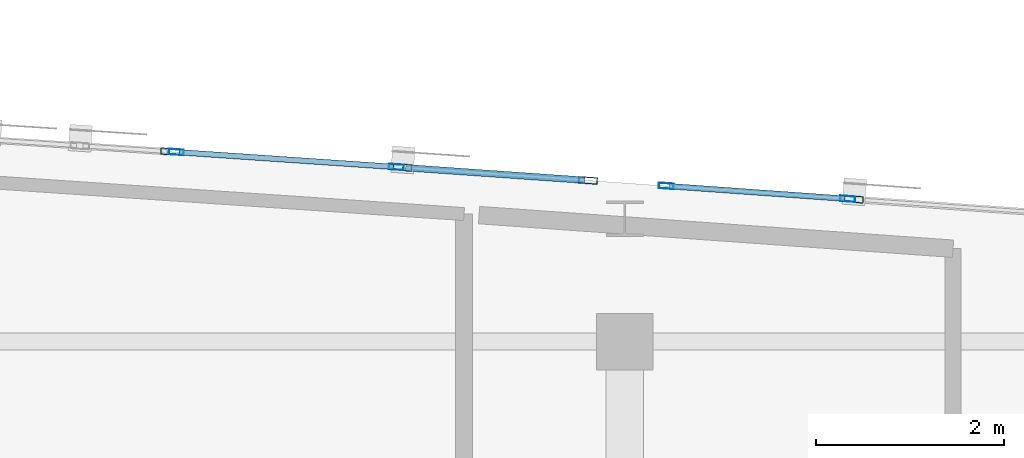
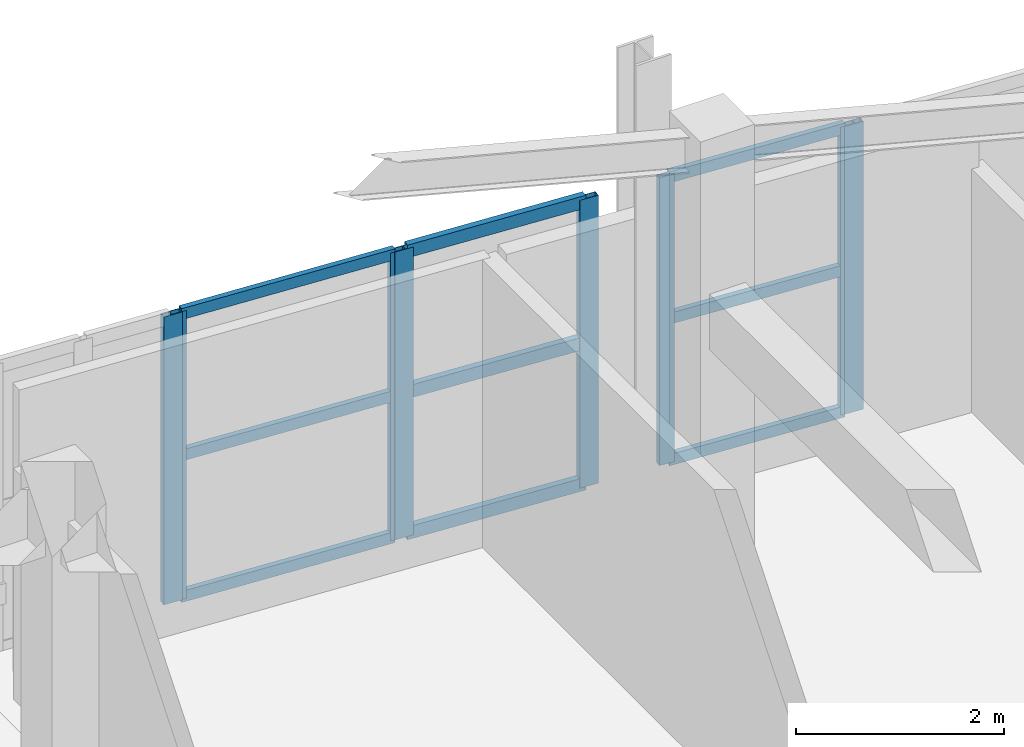
# One storey, part 23 of 41: 17 members, 5 elements without a shape of their own.
"""IFC4 building model written with IfcOpenShell, lengths in metres."""

from ifc_helpers import new_model, si_unit, direction, frame, origin, origin_2d, place, context, subcontext, project, spatial, hollow_rectangle, extrude, material, layer, layer_set, material_profile, profile_set, type_object, element, aggregate, save


model = new_model("IFC4")

# Units and contexts
model_context = context("Model", 3, precision=1e-05, world=origin(), true_north=direction((0.0, 1.0)))
body_context = subcontext(model_context, "Body", "Model", "MODEL_VIEW")
ifc_project = project(units=[si_unit("LENGTHUNIT", "METRE"), si_unit("AREAUNIT", "SQUARE_METRE"), si_unit("VOLUMEUNIT", "CUBIC_METRE"), si_unit("PLANEANGLEUNIT", "RADIAN"), si_unit("MASSUNIT", "GRAM", prefix="KILO")], contexts=[model_context])

# Site, building, storey
site_placement = place(None, origin())
site = spatial("IfcSite", under=ifc_project, at=site_placement, CompositionType="ELEMENT")
building_placement = place(site_placement, origin())
building = spatial("IfcBuilding", under=site, at=building_placement, Name="Carrowvane Square Congress Hotel", CompositionType="ELEMENT")
storey_placement = place(building_placement, frame((0.0, 0.0, 37.199951171875)))
storey = spatial("IfcBuildingStorey", under=building, at=storey_placement, Name="L09", CompositionType="ELEMENT", Elevation=37.199951171875)

# Curtain wall, members
ifc_material_1 = material(Name="Anodised aluminium", Category="aluminium")
ifc_layer_1 = layer(ifc_material_1, 0.162109375)
ifc_layer_set_1 = layer_set([ifc_layer_1], Name="Anodised aluminium")
curtain_wall_type_1 = type_object("IfcCurtainWallType", Name="CW-SYS-1", PredefinedType="NOTDEFINED", material=ifc_layer_set_1)
curtain_wall_1_placement = place(storey_placement, origin())
curtain_wall_1 = element("IfcCurtainWall", 1, at=curtain_wall_1_placement, inside=storey, type_object=curtain_wall_type_1, Name="L09 unitised curtain wall 544", PredefinedType="NOTDEFINED")
ifc_material_2 = material(Name="Anodised aluminium", Category="aluminium")
ifc_material_profile_1 = material_profile(ifc_material_2, hollow_rectangle(XDim=0.06005859375, YDim=0.159912109375, WallThickness=0.00390625, at=origin_2d()), Name="CW-ML 60x160x4")
ifc_profile_set_1 = profile_set([ifc_material_profile_1], Name="Anodised aluminium")
member_type_1 = type_object("IfcMemberType", Name="CW-MUL-1", PredefinedType="MULLION", material=ifc_profile_set_1)
member_1_placement = place(storey_placement, frame((129.22998046875, 115.4150390625, 0.0), z_axis=(0.0, 0.0, 1.0), x_axis=(0.067869562107, 0.99769420292, 0.0)))
member_1 = element("IfcMember", 2, at=member_1_placement, type_object=member_type_1, Name="CW-1 mullion 1", PredefinedType="MULLION", context=body_context, shape_type="SweptSolid", body=[
    extrude(hollow_rectangle(XDim=0.06005859375, YDim=0.159912109375, WallThickness=0.00390625, at=origin_2d()), origin(), (0.0, 0.0, 1.0), 3.380126953125),
])
member_2_placement = place(storey_placement, frame((131.570068359375, 115.255859375, 0.0), z_axis=(0.0, 0.0, 1.0), x_axis=(0.067869562107, 0.99769420292, 0.0)))
member_2 = element("IfcMember", 3, at=member_2_placement, type_object=member_type_1, Name="CW-1 mullion 2", PredefinedType="MULLION", context=body_context, shape_type="SweptSolid", body=[
    extrude(hollow_rectangle(XDim=0.06005859375, YDim=0.159912109375, WallThickness=0.00390625, at=origin_2d()), origin(), (0.0, 0.0, 1.0), 3.380126953125),
])

ifc_material_3 = material(Name="Anodised aluminium", Category="aluminium")
ifc_layer_2 = layer(ifc_material_3, 0.18603515625)
ifc_layer_set_2 = layer_set([ifc_layer_2], Name="Anodised aluminium")
curtain_wall_type_2 = type_object("IfcCurtainWallType", Name="CW-SYS-3", PredefinedType="NOTDEFINED", material=ifc_layer_set_2)
curtain_wall_2_placement = place(storey_placement, origin())
curtain_wall_2 = element("IfcCurtainWall", 4, at=curtain_wall_2_placement, inside=storey, type_object=curtain_wall_type_2, Name="L09 unitised curtain wall 546", PredefinedType="NOTDEFINED")
member_3_placement = place(storey_placement, frame((134.4404296875, 115.0546875, 0.0), z_axis=(0.0, 0.0, 1.0), x_axis=(0.070959862453, 0.997479171673, 0.0)))
member_3 = element("IfcMember", 5, at=member_3_placement, type_object=member_type_1, Name="CW-3 mullion 1", PredefinedType="MULLION", context=body_context, shape_type="SweptSolid", body=[
    extrude(hollow_rectangle(XDim=0.06005859375, YDim=0.159912109375, WallThickness=0.00390625, at=origin_2d()), origin(), (0.0, 0.0, 1.0), 3.380126953125),
])
member_4_placement = place(storey_placement, frame((136.3701171875, 114.91748046875, 0.0), z_axis=(0.0, 0.0, 1.0), x_axis=(0.070959862453, 0.997479171673, 0.0)))
member_4 = element("IfcMember", 6, at=member_4_placement, type_object=member_type_1, Name="CW-3 mullion 2", PredefinedType="MULLION", context=body_context, shape_type="SweptSolid", body=[
    extrude(hollow_rectangle(XDim=0.06005859375, YDim=0.159912109375, WallThickness=0.00390625, at=origin_2d()), origin(), (0.0, 0.0, 1.0), 3.380126953125),
])

# Curtain wall, member
ifc_material_4 = material(Name="Anodised aluminium", Category="aluminium")
ifc_layer_3 = layer(ifc_material_4, 0.24609375)
ifc_layer_set_3 = layer_set([ifc_layer_3], Name="Anodised aluminium")
curtain_wall_type_3 = type_object("IfcCurtainWallType", Name="CW-SYS-8", PredefinedType="NOTDEFINED", material=ifc_layer_set_3)
curtain_wall_3_placement = place(storey_placement, origin())
curtain_wall_3 = element("IfcCurtainWall", 7, at=curtain_wall_3_placement, inside=storey, type_object=curtain_wall_type_3, Name="L09 unitised curtain wall 543", PredefinedType="NOTDEFINED")
ifc_material_5 = material(Name="Anodised aluminium", Category="aluminium")
ifc_material_profile_2 = material_profile(ifc_material_5, hollow_rectangle(XDim=0.070068359375, YDim=0.199951171875, WallThickness=0.0048828125, at=origin_2d()), Name="CW-ML 70x200x5")
ifc_profile_set_2 = profile_set([ifc_material_profile_2], Name="Anodised aluminium")
member_type_2 = type_object("IfcMemberType", Name="CW-MUL-2", PredefinedType="MULLION", material=ifc_profile_set_2)
member_5_placement = place(storey_placement, frame((129.1650390625, 115.419189453125, 0.0), z_axis=(0.0, 0.0, 1.0), x_axis=(0.065413941589, 0.9978582145, 0.0)))
member_5 = element("IfcMember", 8, at=member_5_placement, type_object=member_type_2, Name="CW-8 mullion 3", PredefinedType="MULLION", context=body_context, shape_type="SweptSolid", body=[
    extrude(hollow_rectangle(XDim=0.070068359375, YDim=0.199951171875, WallThickness=0.0048828125, at=origin_2d()), origin(), (0.0, 0.0, 1.0), 3.380126953125),
])
aggregate(curtain_wall_3, [member_5])

# Curtain wall, members
ifc_material_6 = material(Name="Anodised aluminium", Category="aluminium")
ifc_layer_4 = layer(ifc_material_6, 0.174072265625)
ifc_layer_set_4 = layer_set([ifc_layer_4], Name="Anodised aluminium")
curtain_wall_type_4 = type_object("IfcCurtainWallType", Name="CW-SYS-2", PredefinedType="NOTDEFINED", material=ifc_layer_set_4)
curtain_wall_4_placement = place(storey_placement, origin())
curtain_wall_4 = element("IfcCurtainWall", 9, at=curtain_wall_4_placement, inside=storey, type_object=curtain_wall_type_4, Name="L09 unitised curtain wall 545", PredefinedType="NOTDEFINED")
member_6_placement = place(storey_placement, frame((131.635009765625, 115.251220703125, 0.0), z_axis=(0.0, 0.0, 1.0), x_axis=(0.069726879118, 0.997566119277, 0.0)))
member_6 = element("IfcMember", 10, at=member_6_placement, type_object=member_type_2, Name="CW-2 mullion 1", PredefinedType="MULLION", context=body_context, shape_type="SweptSolid", body=[
    extrude(hollow_rectangle(XDim=0.070068359375, YDim=0.199951171875, WallThickness=0.0048828125, at=origin_2d()), origin(), (0.0, 0.0, 1.0), 3.380126953125),
])
member_7_placement = place(storey_placement, frame((133.60791015625, 115.11328125, 0.0), z_axis=(0.0, 0.0, 1.0), x_axis=(0.069726879118, 0.997566119277, 0.0)))
member_7 = element("IfcMember", 11, at=member_7_placement, type_object=member_type_2, Name="CW-2 mullion 2", PredefinedType="MULLION", context=body_context, shape_type="SweptSolid", body=[
    extrude(hollow_rectangle(XDim=0.070068359375, YDim=0.199951171875, WallThickness=0.0048828125, at=origin_2d()), origin(), (0.0, 0.0, 1.0), 3.380126953125),
])

# Curtain wall, member
ifc_material_7 = material(Name="Anodised aluminium", Category="aluminium")
ifc_layer_5 = layer(ifc_material_7, 0.197998046875)
ifc_layer_set_5 = layer_set([ifc_layer_5], Name="Anodised aluminium")
curtain_wall_type_5 = type_object("IfcCurtainWallType", Name="CW-SYS-4", PredefinedType="NOTDEFINED", material=ifc_layer_set_5)
curtain_wall_5_placement = place(storey_placement, origin())
curtain_wall_5 = element("IfcCurtainWall", 12, at=curtain_wall_5_placement, inside=storey, type_object=curtain_wall_type_5, Name="L09 unitised curtain wall 547", PredefinedType="NOTDEFINED")
member_8_placement = place(storey_placement, frame((136.434814453125, 114.912841796875, 0.0), z_axis=(0.0, 0.0, 1.0), x_axis=(0.071531759512, 0.997438322595, 0.0)))
member_8 = element("IfcMember", 13, at=member_8_placement, type_object=member_type_2, Name="CW-4 mullion 1", PredefinedType="MULLION", context=body_context, shape_type="SweptSolid", body=[
    extrude(hollow_rectangle(XDim=0.070068359375, YDim=0.199951171875, WallThickness=0.0048828125, at=origin_2d()), origin(), (0.0, 0.0, 1.0), 3.380126953125),
])
aggregate(curtain_wall_5, [member_8])

# Member
ifc_material_8 = material(Name="Anodised aluminium", Category="aluminium")
ifc_material_profile_3 = material_profile(ifc_material_8, hollow_rectangle(XDim=0.06005859375, YDim=0.1298828125, WallThickness=0.00390625, at=origin_2d()), Name="CW-TR 60x130x4")
ifc_profile_set_3 = profile_set([ifc_material_profile_3], Name="Anodised aluminium")
member_type_3 = type_object("IfcMemberType", Name="CW-TRN-1", PredefinedType="USERDEFINED", material=ifc_profile_set_3)
member_9_placement = place(storey_placement, frame((129.259765625, 115.412841796875, 0.030029296875), z_axis=(0.9976968548, -0.067830567751, 0.0), x_axis=(0.067830567751, 0.9976968548, 0.0)))
member_9 = element("IfcMember", 14, at=member_9_placement, type_object=member_type_3, Name="CW-1 transom 1.1", ObjectType="TRANSOM", PredefinedType="USERDEFINED", context=body_context, shape_type="SweptSolid", body=[
    extrude(hollow_rectangle(XDim=0.06005859375, YDim=0.1298828125, WallThickness=0.00390625, at=origin_2d()), origin(), (0.0, 0.0, 1.0), 2.28564453125),
])

member_10_placement = place(storey_placement, frame((129.259765625, 115.412841796875, 1.68994140625), z_axis=(0.9976968548, -0.067830567751, 0.0), x_axis=(0.067830567751, 0.9976968548, 0.0)))
member_10 = element("IfcMember", 15, at=member_10_placement, type_object=member_type_3, Name="CW-1 transom 1.2", ObjectType="TRANSOM", PredefinedType="USERDEFINED", context=body_context, shape_type="SweptSolid", body=[
    extrude(hollow_rectangle(XDim=0.06005859375, YDim=0.1298828125, WallThickness=0.00390625, at=origin_2d()), origin(), (0.0, 0.0, 1.0), 2.28564453125),
])

member_11_placement = place(storey_placement, frame((129.259765625, 115.412841796875, 3.35009765625), z_axis=(0.9976968548, -0.067830567751, 0.0), x_axis=(0.067830567751, 0.9976968548, 0.0)))
member_11 = element("IfcMember", 16, at=member_11_placement, type_object=member_type_3, Name="CW-1 transom 1.3", ObjectType="TRANSOM", PredefinedType="USERDEFINED", context=body_context, shape_type="SweptSolid", body=[
    extrude(hollow_rectangle(XDim=0.06005859375, YDim=0.1298828125, WallThickness=0.00390625, at=origin_2d()), origin(), (0.0, 0.0, 1.0), 2.28564453125),
])

aggregate(curtain_wall_1, [member_1, member_2, member_9, member_10, member_11])

member_12_placement = place(storey_placement, frame((134.470458984375, 115.052490234375, 0.030029296875), z_axis=(0.997477179268, -0.070987864025, 0.0), x_axis=(0.070987864025, 0.997477179268, 0.0)))
member_12 = element("IfcMember", 17, at=member_12_placement, type_object=member_type_3, Name="CW-3 transom 1.1", ObjectType="TRANSOM", PredefinedType="USERDEFINED", context=body_context, shape_type="SweptSolid", body=[
    extrude(hollow_rectangle(XDim=0.06005859375, YDim=0.1298828125, WallThickness=0.00390625, at=origin_2d()), origin(), (0.0, 0.0, 1.0), 1.874267578125),
])

member_13_placement = place(storey_placement, frame((134.470458984375, 115.052490234375, 1.68994140625), z_axis=(0.997477179268, -0.070987864025, 0.0), x_axis=(0.070987864025, 0.997477179268, 0.0)))
member_13 = element("IfcMember", 18, at=member_13_placement, type_object=member_type_3, Name="CW-3 transom 1.2", ObjectType="TRANSOM", PredefinedType="USERDEFINED", context=body_context, shape_type="SweptSolid", body=[
    extrude(hollow_rectangle(XDim=0.06005859375, YDim=0.1298828125, WallThickness=0.00390625, at=origin_2d()), origin(), (0.0, 0.0, 1.0), 1.874267578125),
])

member_14_placement = place(storey_placement, frame((134.470458984375, 115.052490234375, 3.35009765625), z_axis=(0.997477179268, -0.070987864025, 0.0), x_axis=(0.070987864025, 0.997477179268, 0.0)))
member_14 = element("IfcMember", 19, at=member_14_placement, type_object=member_type_3, Name="CW-3 transom 1.3", ObjectType="TRANSOM", PredefinedType="USERDEFINED", context=body_context, shape_type="SweptSolid", body=[
    extrude(hollow_rectangle(XDim=0.06005859375, YDim=0.1298828125, WallThickness=0.00390625, at=origin_2d()), origin(), (0.0, 0.0, 1.0), 1.874267578125),
])

aggregate(curtain_wall_2, [member_3, member_4, member_12, member_13, member_14])

ifc_material_9 = material(Name="Anodised aluminium", Category="aluminium")
ifc_material_profile_4 = material_profile(ifc_material_9, hollow_rectangle(XDim=0.070068359375, YDim=0.14990234375, WallThickness=0.0048828125, at=origin_2d()), Name="CW-TR 70x150x5")
ifc_profile_set_4 = profile_set([ifc_material_profile_4], Name="Anodised aluminium")
member_type_4 = type_object("IfcMemberType", Name="CW-TRN-2", PredefinedType="USERDEFINED", material=ifc_profile_set_4)
member_15_placement = place(storey_placement, frame((131.669921875, 115.248779296875, 0.03515625), z_axis=(0.997564758175, -0.069746349353, 0.0), x_axis=(0.069746349353, 0.997564758175, 0.0)))
member_15 = element("IfcMember", 20, at=member_15_placement, type_object=member_type_4, Name="CW-2 transom 1.1", ObjectType="TRANSOM", PredefinedType="USERDEFINED", context=body_context, shape_type="SweptSolid", body=[
    extrude(hollow_rectangle(XDim=0.070068359375, YDim=0.14990234375, WallThickness=0.0048828125, at=origin_2d()), origin(), (0.0, 0.0, 1.0), 1.90771484375),
])

member_16_placement = place(storey_placement, frame((131.669921875, 115.248779296875, 1.68994140625), z_axis=(0.997564758175, -0.069746349353, 0.0), x_axis=(0.069746349353, 0.997564758175, 0.0)))
member_16 = element("IfcMember", 21, at=member_16_placement, type_object=member_type_4, Name="CW-2 transom 1.2", ObjectType="TRANSOM", PredefinedType="USERDEFINED", context=body_context, shape_type="SweptSolid", body=[
    extrude(hollow_rectangle(XDim=0.070068359375, YDim=0.14990234375, WallThickness=0.0048828125, at=origin_2d()), origin(), (0.0, 0.0, 1.0), 1.90771484375),
])

member_17_placement = place(storey_placement, frame((131.669921875, 115.248779296875, 3.344970703125), z_axis=(0.997564758175, -0.069746349353, 0.0), x_axis=(0.069746349353, 0.997564758175, 0.0)))
member_17 = element("IfcMember", 22, at=member_17_placement, type_object=member_type_4, Name="CW-2 transom 1.3", ObjectType="TRANSOM", PredefinedType="USERDEFINED", context=body_context, shape_type="SweptSolid", body=[
    extrude(hollow_rectangle(XDim=0.070068359375, YDim=0.14990234375, WallThickness=0.0048828125, at=origin_2d()), origin(), (0.0, 0.0, 1.0), 1.90771484375),
])

aggregate(curtain_wall_4, [member_6, member_7, member_15, member_16, member_17])

save(model, "model.ifc")
